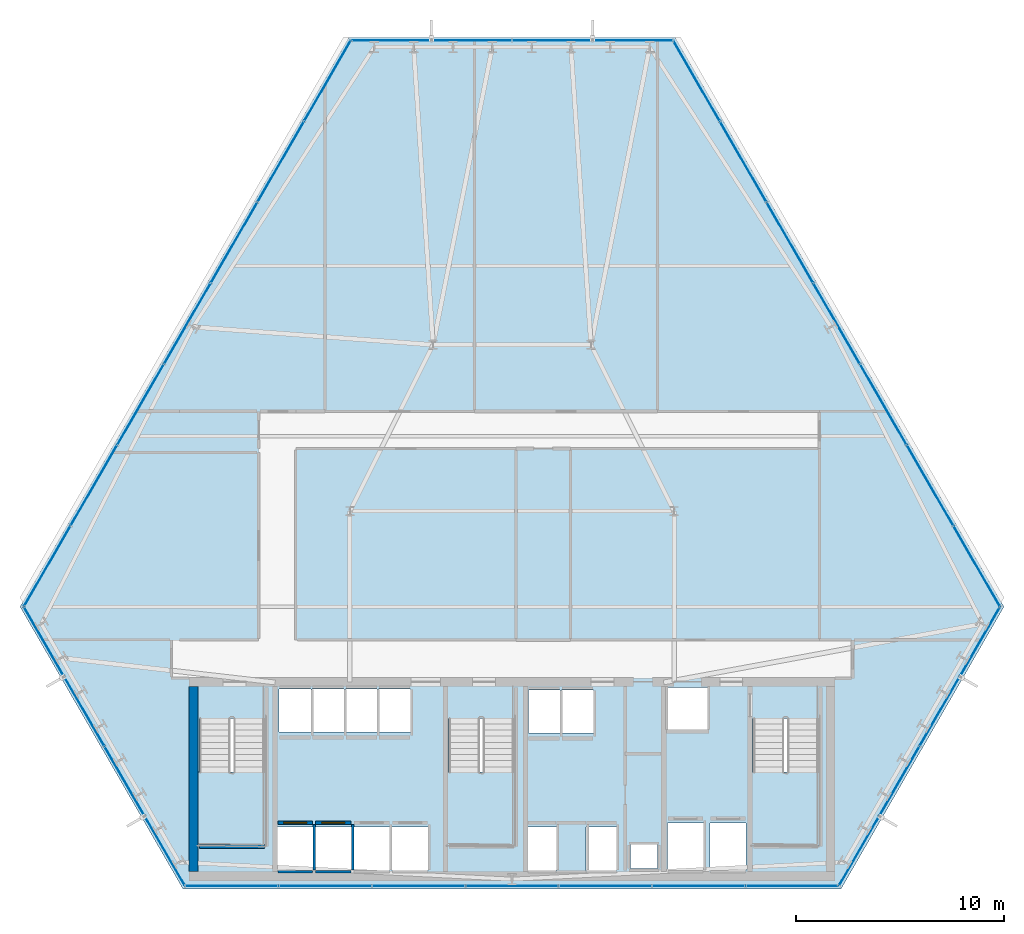
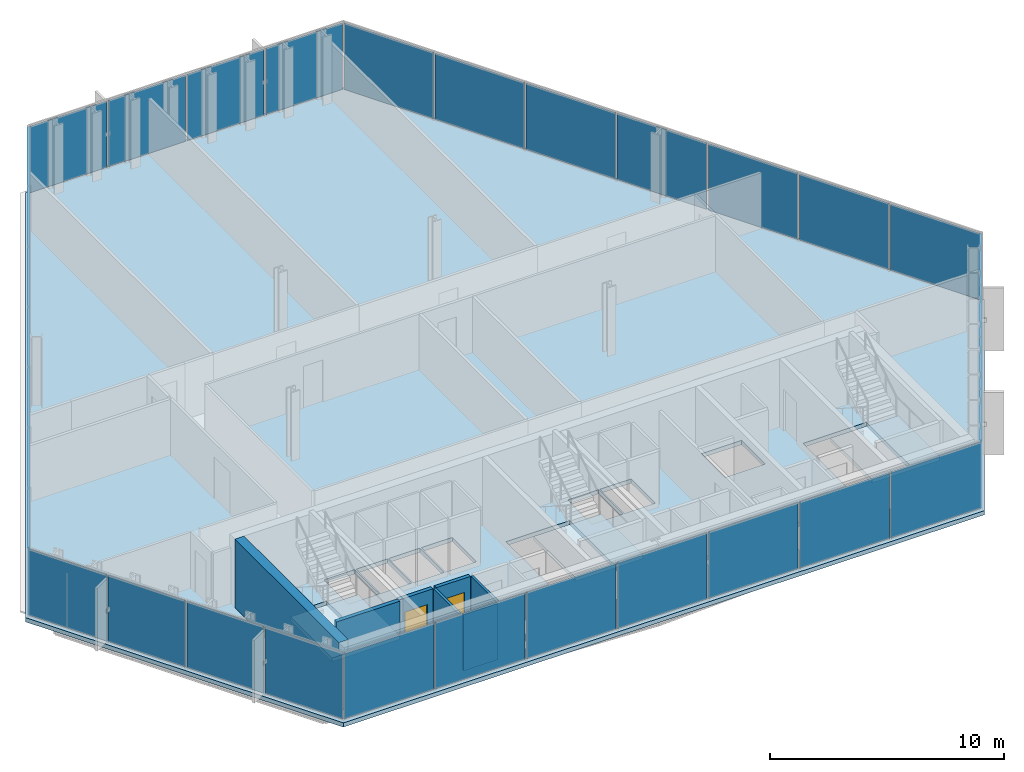
# One storey, part 25 of 32: 33 plates, 8 walls, 4 slabs, 2 doors, 2 openings, 9 elements without a shape of their own.
"""IFC4 building model written with IfcOpenShell, lengths in metres."""

from ifc_helpers import new_model, si_unit, direction, frame, frame_2d, origin, origin_2d, place, context, subcontext, project, spatial, polyline, rectangle, outline, extrude, material, layer, layer_set, type_object, element, fill, aggregate, save


model = new_model("IFC4")

# Units and contexts
model_context = context("Model", 3, precision=1e-05, world=origin(), true_north=direction((0.0, 1.0)))
body_context = subcontext(model_context, "Body", "Model", "MODEL_VIEW")
ifc_project = project(units=[si_unit("LENGTHUNIT", "METRE"), si_unit("AREAUNIT", "SQUARE_METRE"), si_unit("VOLUMEUNIT", "CUBIC_METRE"), si_unit("PLANEANGLEUNIT", "RADIAN"), si_unit("MASSUNIT", "GRAM", prefix="KILO")], contexts=[model_context])

# Site, building, storey
site_placement = place(None, origin())
site = spatial("IfcSite", under=ifc_project, at=site_placement, CompositionType="ELEMENT")
building_placement = place(site_placement, origin())
building = spatial("IfcBuilding", under=site, at=building_placement, Name="Ndaravel Arena Tower", CompositionType="ELEMENT")
storey_placement = place(building_placement, frame((0.0, 0.0, 58.800048828125)))
storey = spatial("IfcBuildingStorey", under=building, at=storey_placement, Name="L12", CompositionType="ELEMENT", Elevation=58.800048828125)

# Curtain wall, plate
ifc_material_1 = material(Name="Aluminium", Category="aluminium")
ifc_layer_1 = layer(ifc_material_1, 0.179931640625)
ifc_layer_set_1 = layer_set([ifc_layer_1], Name="Aluminium")
curtain_wall_type_1 = type_object("IfcCurtainWallType", Name="CW-SYS-01", PredefinedType="NOTDEFINED", material=ifc_layer_set_1)
curtain_wall_1_placement = place(storey_placement, origin())
curtain_wall_1 = element("IfcCurtainWall", 1, at=curtain_wall_1_placement, inside=storey, type_object=curtain_wall_type_1, Name="L12 Faceted Crystal Curtain Wall CW-L12-E02", PredefinedType="NOTDEFINED")
ifc_material_2 = material(Name="Glazing", Category="glass")
ifc_layer_2 = layer(ifc_material_2, 0.035888671875)
ifc_layer_set_2 = layer_set([ifc_layer_2], Name="Glazing")
plate_type_1 = type_object("IfcPlateType", Name="PLT-CW-OPVENT", PredefinedType="CURTAIN_PANEL", material=ifc_layer_set_2)
plate_1_placement = place(storey_placement, frame((60.6435546875, 10.19775390625, 0.06005859375), z_axis=(0.0, 0.0, 1.0), x_axis=(0.5, 0.866025403784, 0.0)))
plate_1 = element("IfcPlate", 2, at=plate_1_placement, type_object=plate_type_1, Name="CW-L12-E02 Operable Vent Sash Panel 02", PredefinedType="CURTAIN_PANEL", context=body_context, shape_type="SweptSolid", body=[
    extrude(rectangle(XDim=3.798095703125, YDim=0.035888671875, at=origin_2d()), origin(), (0.0, 0.0, 1.0), 3.4599609375),
])

curtain_wall_2_placement = place(storey_placement, origin())
curtain_wall_2 = element("IfcCurtainWall", 3, at=curtain_wall_2_placement, inside=storey, type_object=curtain_wall_type_1, Name="L12 Faceted Crystal Curtain Wall CW-L12-E04", PredefinedType="NOTDEFINED")
plate_2_placement = place(storey_placement, frame((43.93896484375, 45.847900390625, 0.06005859375), z_axis=(0.0, 0.0, 1.0), x_axis=(-1.0, 0.0, 0.0)))
plate_2 = element("IfcPlate", 4, at=plate_2_placement, type_object=plate_type_1, Name="CW-L12-E04 Operable Vent Sash Panel 02", PredefinedType="CURTAIN_PANEL", context=body_context, shape_type="SweptSolid", body=[
    extrude(rectangle(XDim=3.798095703125, YDim=0.035888671875, at=origin_2d()), origin(), (0.0, 0.0, 1.0), 3.4599609375),
])

ifc_material_3 = material(Name="Aluminium", Category="aluminium")
ifc_layer_3 = layer(ifc_material_3, 0.179931640625)
ifc_layer_set_3 = layer_set([ifc_layer_3], Name="Aluminium")
curtain_wall_type_2 = type_object("IfcCurtainWallType", Name="CW-SYS-02", PredefinedType="NOTDEFINED", material=ifc_layer_set_3)
curtain_wall_3_placement = place(storey_placement, origin())
curtain_wall_3 = element("IfcCurtainWall", 5, at=curtain_wall_3_placement, inside=storey, type_object=curtain_wall_type_2, Name="L12 Faceted Crystal Curtain Wall CW-L12-E06", PredefinedType="NOTDEFINED")
plate_3_placement = place(storey_placement, frame((21.41748046875, 13.55615234375, 0.06005859375), z_axis=(0.0, 0.0, 1.0), x_axis=(0.5, -0.866025403784, 0.0)))
plate_3 = element("IfcPlate", 6, at=plate_3_placement, type_object=plate_type_1, Name="CW-L12-E06 Operable Vent Sash Panel 02", PredefinedType="CURTAIN_PANEL", context=body_context, shape_type="SweptSolid", body=[
    extrude(rectangle(XDim=3.798095703125, YDim=0.035888671875, at=origin_2d()), origin(), (0.0, 0.0, 1.0), 3.4599609375),
])

# Plate
ifc_material_4 = material(Name="Glazing", Category="glass")
ifc_layer_4 = layer(ifc_material_4, 0.031982421875)
ifc_layer_set_4 = layer_set([ifc_layer_4], Name="Glazing")
plate_type_2 = type_object("IfcPlateType", Name="PLT-GLZ-FRIT35", PredefinedType="CURTAIN_PANEL", material=ifc_layer_set_4)
plate_4_placement = place(storey_placement, frame((58.70458984375, 6.839111328125, 0.06005859375), z_axis=(0.0, 0.0, 1.0), x_axis=(0.5, 0.866025403784, 0.0)))
plate_4 = element("IfcPlate", 7, at=plate_4_placement, type_object=plate_type_2, Name="CW-L12-E02 Vision Glass Panel 01", PredefinedType="CURTAIN_PANEL", context=body_context, shape_type="SweptSolid", body=[
    extrude(rectangle(XDim=3.798095703125, YDim=0.035888671875, at=origin_2d()), origin(), (0.0, 0.0, 1.0), 3.4599609375),
])

plate_5_placement = place(storey_placement, frame((62.58251953125, 13.55615234375, 0.06005859375), z_axis=(0.0, 0.0, 1.0), x_axis=(0.5, 0.866025403784, 0.0)))
plate_5 = element("IfcPlate", 8, at=plate_5_placement, type_object=plate_type_2, Name="CW-L12-E02 Vision Glass Panel 03", PredefinedType="CURTAIN_PANEL", context=body_context, shape_type="SweptSolid", body=[
    extrude(rectangle(XDim=3.798095703125, YDim=0.035888671875, at=origin_2d()), origin(), (0.0, 0.0, 1.0), 3.4599609375),
])

plate_6_placement = place(storey_placement, frame((64.521484375, 16.914794921875, 0.06005859375), z_axis=(0.0, 0.0, 1.0), x_axis=(0.5, 0.866025403784, 0.0)))
plate_6 = element("IfcPlate", 9, at=plate_6_placement, type_object=plate_type_2, Name="CW-L12-E02 Vision Glass Panel 04", PredefinedType="CURTAIN_PANEL", context=body_context, shape_type="SweptSolid", body=[
    extrude(rectangle(XDim=3.798095703125, YDim=0.035888671875, at=origin_2d()), origin(), (0.0, 0.0, 1.0), 3.4599609375),
])

aggregate(curtain_wall_1, [plate_4, plate_1, plate_5, plate_6])

plate_7_placement = place(storey_placement, frame((47.817138671875, 45.847900390625, 0.06005859375), z_axis=(0.0, 0.0, 1.0), x_axis=(-1.0, 0.0, 0.0)))
plate_7 = element("IfcPlate", 10, at=plate_7_placement, type_object=plate_type_2, Name="CW-L12-E04 Vision Glass Panel 01", PredefinedType="CURTAIN_PANEL", context=body_context, shape_type="SweptSolid", body=[
    extrude(rectangle(XDim=3.798095703125, YDim=0.035888671875, at=origin_2d()), origin(), (0.0, 0.0, 1.0), 3.4599609375),
])

plate_8_placement = place(storey_placement, frame((40.06103515625, 45.847900390625, 0.06005859375), z_axis=(0.0, 0.0, 1.0), x_axis=(-1.0, 0.0, 0.0)))
plate_8 = element("IfcPlate", 11, at=plate_8_placement, type_object=plate_type_2, Name="CW-L12-E04 Vision Glass Panel 03", PredefinedType="CURTAIN_PANEL", context=body_context, shape_type="SweptSolid", body=[
    extrude(rectangle(XDim=3.798095703125, YDim=0.035888671875, at=origin_2d()), origin(), (0.0, 0.0, 1.0), 3.4599609375),
])

plate_9_placement = place(storey_placement, frame((36.182861328125, 45.847900390625, 0.06005859375), z_axis=(0.0, 0.0, 1.0), x_axis=(-1.0, 0.0, 0.0)))
plate_9 = element("IfcPlate", 12, at=plate_9_placement, type_object=plate_type_2, Name="CW-L12-E04 Vision Glass Panel 04", PredefinedType="CURTAIN_PANEL", context=body_context, shape_type="SweptSolid", body=[
    extrude(rectangle(XDim=3.798095703125, YDim=0.035888671875, at=origin_2d()), origin(), (0.0, 0.0, 1.0), 3.4599609375),
])

aggregate(curtain_wall_2, [plate_7, plate_2, plate_8, plate_9])

ifc_material_5 = material(Name="Glazing", Category="glass")
ifc_layer_5 = layer(ifc_material_5, 0.035888671875)
ifc_layer_set_5 = layer_set([ifc_layer_5], Name="Glazing")
plate_type_3 = type_object("IfcPlateType", Name="PLT-GLZ-FRIT55", PredefinedType="CURTAIN_PANEL", material=ifc_layer_set_5)
plate_10_placement = place(storey_placement, frame((19.478515625, 16.914794921875, 0.06005859375), z_axis=(0.0, 0.0, 1.0), x_axis=(0.5, -0.866025403784, 0.0)))
plate_10 = element("IfcPlate", 13, at=plate_10_placement, type_object=plate_type_3, Name="CW-L12-E06 Vision Glass Panel 01", PredefinedType="CURTAIN_PANEL", context=body_context, shape_type="SweptSolid", body=[
    extrude(rectangle(XDim=3.798095703125, YDim=0.035888671875, at=origin_2d()), origin(), (0.0, 0.0, 1.0), 3.4599609375),
])

plate_11_placement = place(storey_placement, frame((23.3564453125, 10.19775390625, 0.06005859375), z_axis=(0.0, 0.0, 1.0), x_axis=(0.5, -0.866025403784, 0.0)))
plate_11 = element("IfcPlate", 14, at=plate_11_placement, type_object=plate_type_3, Name="CW-L12-E06 Vision Glass Panel 03", PredefinedType="CURTAIN_PANEL", context=body_context, shape_type="SweptSolid", body=[
    extrude(rectangle(XDim=3.798095703125, YDim=0.035888671875, at=origin_2d()), origin(), (0.0, 0.0, 1.0), 3.4599609375),
])

plate_12_placement = place(storey_placement, frame((25.29541015625, 6.839111328125, 0.06005859375), z_axis=(0.0, 0.0, 1.0), x_axis=(0.5, -0.866025403784, 0.0)))
plate_12 = element("IfcPlate", 15, at=plate_12_placement, type_object=plate_type_3, Name="CW-L12-E06 Vision Glass Panel 04", PredefinedType="CURTAIN_PANEL", context=body_context, shape_type="SweptSolid", body=[
    extrude(rectangle(XDim=3.798095703125, YDim=0.035888671875, at=origin_2d()), origin(), (0.0, 0.0, 1.0), 3.4599609375),
])

aggregate(curtain_wall_3, [plate_10, plate_3, plate_11, plate_12])

# Curtain wall, plates
ifc_material_6 = material(Name="Aluminium", Category="aluminium")
ifc_layer_6 = layer(ifc_material_6, 0.179931640625)
ifc_layer_set_6 = layer_set([ifc_layer_6], Name="Aluminium")
curtain_wall_type_3 = type_object("IfcCurtainWallType", Name="CW-SYS-03", PredefinedType="NOTDEFINED", material=ifc_layer_set_6)
curtain_wall_4_placement = place(storey_placement, origin())
curtain_wall_4 = element("IfcCurtainWall", 16, at=curtain_wall_4_placement, inside=storey, type_object=curtain_wall_type_3, Name="L12 Faceted Crystal Curtain Wall CW-L12-E01", PredefinedType="NOTDEFINED")
ifc_material_7 = material(Name="Glazing", Category="glass")
ifc_layer_7 = layer(ifc_material_7, 0.0400390625)
ifc_layer_set_7 = layer_set([ifc_layer_7], Name="Glazing")
plate_type_4 = type_object("IfcPlateType", Name="PLT-GLZ-LOWIRON", PredefinedType="CURTAIN_PANEL", material=ifc_layer_set_7)
plate_13_placement = place(storey_placement, frame((28.512939453125, 5.159912109375, 0.06005859375), z_axis=(0.0, 0.0, 1.0), x_axis=(1.0, 0.0, 0.0)))
plate_13 = element("IfcPlate", 17, at=plate_13_placement, type_object=plate_type_4, Name="CW-L12-E01 Vision Glass Panel 01", PredefinedType="CURTAIN_PANEL", context=body_context, shape_type="SweptSolid", body=[
    extrude(rectangle(XDim=4.415771484375, YDim=0.035888671875, at=origin_2d()), origin(), (0.0, 0.0, 1.0), 3.4599609375),
])
plate_14_placement = place(storey_placement, frame((33.008544921875, 5.159912109375, 0.06005859375), z_axis=(0.0, 0.0, 1.0), x_axis=(1.0, 0.0, 0.0)))
plate_14 = element("IfcPlate", 18, at=plate_14_placement, type_object=plate_type_4, Name="CW-L12-E01 Vision Glass Panel 02", PredefinedType="CURTAIN_PANEL", context=body_context, shape_type="SweptSolid", body=[
    extrude(rectangle(XDim=4.415771484375, YDim=0.035888671875, at=origin_2d()), origin(), (0.0, 0.0, 1.0), 3.4599609375),
])
plate_15_placement = place(storey_placement, frame((37.50439453125, 5.159912109375, 0.06005859375), z_axis=(0.0, 0.0, 1.0), x_axis=(1.0, 0.0, 0.0)))
plate_15 = element("IfcPlate", 19, at=plate_15_placement, type_object=plate_type_4, Name="CW-L12-E01 Vision Glass Panel 03", PredefinedType="CURTAIN_PANEL", context=body_context, shape_type="SweptSolid", body=[
    extrude(rectangle(XDim=4.415771484375, YDim=0.035888671875, at=origin_2d()), origin(), (0.0, 0.0, 1.0), 3.4599609375),
])
plate_16_placement = place(storey_placement, frame((42.0, 5.159912109375, 0.06005859375), z_axis=(0.0, 0.0, 1.0), x_axis=(1.0, 0.0, 0.0)))
plate_16 = element("IfcPlate", 20, at=plate_16_placement, type_object=plate_type_4, Name="CW-L12-E01 Vision Glass Panel 04", PredefinedType="CURTAIN_PANEL", context=body_context, shape_type="SweptSolid", body=[
    extrude(rectangle(XDim=4.415771484375, YDim=0.035888671875, at=origin_2d()), origin(), (0.0, 0.0, 1.0), 3.4599609375),
])
plate_17_placement = place(storey_placement, frame((46.49560546875, 5.159912109375, 0.06005859375), z_axis=(0.0, 0.0, 1.0), x_axis=(1.0, 0.0, 0.0)))
plate_17 = element("IfcPlate", 21, at=plate_17_placement, type_object=plate_type_4, Name="CW-L12-E01 Vision Glass Panel 05", PredefinedType="CURTAIN_PANEL", context=body_context, shape_type="SweptSolid", body=[
    extrude(rectangle(XDim=4.415771484375, YDim=0.035888671875, at=origin_2d()), origin(), (0.0, 0.0, 1.0), 3.4599609375),
])
plate_18_placement = place(storey_placement, frame((50.991455078125, 5.159912109375, 0.06005859375), z_axis=(0.0, 0.0, 1.0), x_axis=(1.0, 0.0, 0.0)))
plate_18 = element("IfcPlate", 22, at=plate_18_placement, type_object=plate_type_4, Name="CW-L12-E01 Vision Glass Panel 06", PredefinedType="CURTAIN_PANEL", context=body_context, shape_type="SweptSolid", body=[
    extrude(rectangle(XDim=4.415771484375, YDim=0.035888671875, at=origin_2d()), origin(), (0.0, 0.0, 1.0), 3.4599609375),
])
plate_19_placement = place(storey_placement, frame((55.487060546875, 5.159912109375, 0.06005859375), z_axis=(0.0, 0.0, 1.0), x_axis=(1.0, 0.0, 0.0)))
plate_19 = element("IfcPlate", 23, at=plate_19_placement, type_object=plate_type_4, Name="CW-L12-E01 Vision Glass Panel 07", PredefinedType="CURTAIN_PANEL", context=body_context, shape_type="SweptSolid", body=[
    extrude(rectangle(XDim=4.415771484375, YDim=0.035888671875, at=origin_2d()), origin(), (0.0, 0.0, 1.0), 3.4599609375),
])
aggregate(curtain_wall_4, [plate_13, plate_14, plate_15, plate_16, plate_17, plate_18, plate_19])

curtain_wall_5_placement = place(storey_placement, origin())
curtain_wall_5 = element("IfcCurtainWall", 24, at=curtain_wall_5_placement, inside=storey, type_object=curtain_wall_type_3, Name="L12 Faceted Crystal Curtain Wall CW-L12-E03", PredefinedType="NOTDEFINED")
plate_20_placement = place(storey_placement, frame((64.3671875, 20.54052734375, 0.06005859375), z_axis=(0.0, 0.0, 1.0), x_axis=(-0.5, 0.866025403784, 0.0)))
plate_20 = element("IfcPlate", 25, at=plate_20_placement, type_object=plate_type_4, Name="CW-L12-E03 Vision Glass Panel 01", PredefinedType="CURTAIN_PANEL", context=body_context, shape_type="SweptSolid", body=[
    extrude(rectangle(XDim=4.415771484375, YDim=0.035888671875, at=origin_2d()), origin(), (0.0, 0.0, 1.0), 3.4599609375),
])
plate_21_placement = place(storey_placement, frame((62.119384765625, 24.43408203125, 0.06005859375), z_axis=(0.0, 0.0, 1.0), x_axis=(-0.5, 0.866025403784, 0.0)))
plate_21 = element("IfcPlate", 26, at=plate_21_placement, type_object=plate_type_4, Name="CW-L12-E03 Vision Glass Panel 02", PredefinedType="CURTAIN_PANEL", context=body_context, shape_type="SweptSolid", body=[
    extrude(rectangle(XDim=4.415771484375, YDim=0.035888671875, at=origin_2d()), origin(), (0.0, 0.0, 1.0), 3.4599609375),
])
plate_22_placement = place(storey_placement, frame((59.87158203125, 28.327392578125, 0.06005859375), z_axis=(0.0, 0.0, 1.0), x_axis=(-0.5, 0.866025403784, 0.0)))
plate_22 = element("IfcPlate", 27, at=plate_22_placement, type_object=plate_type_4, Name="CW-L12-E03 Vision Glass Panel 03", PredefinedType="CURTAIN_PANEL", context=body_context, shape_type="SweptSolid", body=[
    extrude(rectangle(XDim=4.415771484375, YDim=0.035888671875, at=origin_2d()), origin(), (0.0, 0.0, 1.0), 3.4599609375),
])
plate_23_placement = place(storey_placement, frame((57.62353515625, 32.220947265625, 0.06005859375), z_axis=(0.0, 0.0, 1.0), x_axis=(-0.5, 0.866025403784, 0.0)))
plate_23 = element("IfcPlate", 28, at=plate_23_placement, type_object=plate_type_4, Name="CW-L12-E03 Vision Glass Panel 04", PredefinedType="CURTAIN_PANEL", context=body_context, shape_type="SweptSolid", body=[
    extrude(rectangle(XDim=4.415771484375, YDim=0.035888671875, at=origin_2d()), origin(), (0.0, 0.0, 1.0), 3.4599609375),
])
plate_24_placement = place(storey_placement, frame((55.375732421875, 36.1142578125, 0.06005859375), z_axis=(0.0, 0.0, 1.0), x_axis=(-0.5, 0.866025403784, 0.0)))
plate_24 = element("IfcPlate", 29, at=plate_24_placement, type_object=plate_type_4, Name="CW-L12-E03 Vision Glass Panel 05", PredefinedType="CURTAIN_PANEL", context=body_context, shape_type="SweptSolid", body=[
    extrude(rectangle(XDim=4.415771484375, YDim=0.035888671875, at=origin_2d()), origin(), (0.0, 0.0, 1.0), 3.4599609375),
])
plate_25_placement = place(storey_placement, frame((53.1279296875, 40.0078125, 0.06005859375), z_axis=(0.0, 0.0, 1.0), x_axis=(-0.5, 0.866025403784, 0.0)))
plate_25 = element("IfcPlate", 30, at=plate_25_placement, type_object=plate_type_4, Name="CW-L12-E03 Vision Glass Panel 06", PredefinedType="CURTAIN_PANEL", context=body_context, shape_type="SweptSolid", body=[
    extrude(rectangle(XDim=4.415771484375, YDim=0.035888671875, at=origin_2d()), origin(), (0.0, 0.0, 1.0), 3.4599609375),
])
plate_26_placement = place(storey_placement, frame((50.8798828125, 43.901123046875, 0.06005859375), z_axis=(0.0, 0.0, 1.0), x_axis=(-0.5, 0.866025403784, 0.0)))
plate_26 = element("IfcPlate", 31, at=plate_26_placement, type_object=plate_type_4, Name="CW-L12-E03 Vision Glass Panel 07", PredefinedType="CURTAIN_PANEL", context=body_context, shape_type="SweptSolid", body=[
    extrude(rectangle(XDim=4.415771484375, YDim=0.035888671875, at=origin_2d()), origin(), (0.0, 0.0, 1.0), 3.4599609375),
])
aggregate(curtain_wall_5, [plate_20, plate_21, plate_22, plate_23, plate_24, plate_25, plate_26])

curtain_wall_6_placement = place(storey_placement, origin())
curtain_wall_6 = element("IfcCurtainWall", 32, at=curtain_wall_6_placement, inside=storey, type_object=curtain_wall_type_3, Name="L12 Faceted Crystal Curtain Wall CW-L12-E05", PredefinedType="NOTDEFINED")
plate_27_placement = place(storey_placement, frame((33.1201171875, 43.901123046875, 0.06005859375), z_axis=(0.0, 0.0, 1.0), x_axis=(-0.5, -0.866025403784, 0.0)))
plate_27 = element("IfcPlate", 33, at=plate_27_placement, type_object=plate_type_4, Name="CW-L12-E05 Vision Glass Panel 01", PredefinedType="CURTAIN_PANEL", context=body_context, shape_type="SweptSolid", body=[
    extrude(rectangle(XDim=4.415771484375, YDim=0.035888671875, at=origin_2d()), origin(), (0.0, 0.0, 1.0), 3.4599609375),
])
plate_28_placement = place(storey_placement, frame((30.8720703125, 40.0078125, 0.06005859375), z_axis=(0.0, 0.0, 1.0), x_axis=(-0.5, -0.866025403784, 0.0)))
plate_28 = element("IfcPlate", 34, at=plate_28_placement, type_object=plate_type_4, Name="CW-L12-E05 Vision Glass Panel 02", PredefinedType="CURTAIN_PANEL", context=body_context, shape_type="SweptSolid", body=[
    extrude(rectangle(XDim=4.415771484375, YDim=0.035888671875, at=origin_2d()), origin(), (0.0, 0.0, 1.0), 3.4599609375),
])
plate_29_placement = place(storey_placement, frame((28.624267578125, 36.1142578125, 0.06005859375), z_axis=(0.0, 0.0, 1.0), x_axis=(-0.5, -0.866025403784, 0.0)))
plate_29 = element("IfcPlate", 35, at=plate_29_placement, type_object=plate_type_4, Name="CW-L12-E05 Vision Glass Panel 03", PredefinedType="CURTAIN_PANEL", context=body_context, shape_type="SweptSolid", body=[
    extrude(rectangle(XDim=4.415771484375, YDim=0.035888671875, at=origin_2d()), origin(), (0.0, 0.0, 1.0), 3.4599609375),
])
plate_30_placement = place(storey_placement, frame((26.37646484375, 32.220947265625, 0.06005859375), z_axis=(0.0, 0.0, 1.0), x_axis=(-0.5, -0.866025403784, 0.0)))
plate_30 = element("IfcPlate", 36, at=plate_30_placement, type_object=plate_type_4, Name="CW-L12-E05 Vision Glass Panel 04", PredefinedType="CURTAIN_PANEL", context=body_context, shape_type="SweptSolid", body=[
    extrude(rectangle(XDim=4.415771484375, YDim=0.035888671875, at=origin_2d()), origin(), (0.0, 0.0, 1.0), 3.4599609375),
])
plate_31_placement = place(storey_placement, frame((24.12841796875, 28.327392578125, 0.06005859375), z_axis=(0.0, 0.0, 1.0), x_axis=(-0.5, -0.866025403784, 0.0)))
plate_31 = element("IfcPlate", 37, at=plate_31_placement, type_object=plate_type_4, Name="CW-L12-E05 Vision Glass Panel 05", PredefinedType="CURTAIN_PANEL", context=body_context, shape_type="SweptSolid", body=[
    extrude(rectangle(XDim=4.415771484375, YDim=0.035888671875, at=origin_2d()), origin(), (0.0, 0.0, 1.0), 3.4599609375),
])
plate_32_placement = place(storey_placement, frame((21.880615234375, 24.43408203125, 0.06005859375), z_axis=(0.0, 0.0, 1.0), x_axis=(-0.5, -0.866025403784, 0.0)))
plate_32 = element("IfcPlate", 38, at=plate_32_placement, type_object=plate_type_4, Name="CW-L12-E05 Vision Glass Panel 06", PredefinedType="CURTAIN_PANEL", context=body_context, shape_type="SweptSolid", body=[
    extrude(rectangle(XDim=4.415771484375, YDim=0.035888671875, at=origin_2d()), origin(), (0.0, 0.0, 1.0), 3.4599609375),
])
plate_33_placement = place(storey_placement, frame((19.6328125, 20.54052734375, 0.06005859375), z_axis=(0.0, 0.0, 1.0), x_axis=(-0.5, -0.866025403784, 0.0)))
plate_33 = element("IfcPlate", 39, at=plate_33_placement, type_object=plate_type_4, Name="CW-L12-E05 Vision Glass Panel 07", PredefinedType="CURTAIN_PANEL", context=body_context, shape_type="SweptSolid", body=[
    extrude(rectangle(XDim=4.415771484375, YDim=0.035888671875, at=origin_2d()), origin(), (0.0, 0.0, 1.0), 3.4599609375),
])
aggregate(curtain_wall_6, [plate_27, plate_28, plate_29, plate_30, plate_31, plate_32, plate_33])

# Stair, slab
ifc_material_8 = material(Name="Concrete C40/50", Category="concrete")
stair_type = type_object("IfcStairType", Name="STAIR-CORE-HT", PredefinedType="HALF_TURN_STAIR", material=ifc_material_8)
stair_1_placement = place(storey_placement, origin())
stair_1 = element("IfcStair", 40, at=stair_1_placement, inside=storey, type_object=stair_type, Name="L12 ST-1", PredefinedType="HALF_TURN_STAIR")
ifc_material_9 = material(Name="Concrete C40/50", Category="concrete")
ifc_layer_8 = layer(ifc_material_9, 0.199951171875)
ifc_layer_set_8 = layer_set([ifc_layer_8], Name="Concrete C40/50")
slab_type_1 = type_object("IfcSlabType", Name="SLAB-STAIR-LANDING", PredefinedType="LANDING", material=ifc_layer_set_8)
slab_1_placement = place(storey_placement, frame((0.0, 0.0, 1.699951171875)))
slab_1 = element("IfcSlab", 41, at=slab_1_placement, type_object=slab_type_1, Name="ST-1 landing 1", PredefinedType="LANDING", context=body_context, shape_type="SweptSolid", body=[
    extrude(outline(polyline([(26.81005859375, 10.6298828125), (26.81005859375, 7.070068359375), (30.169921875, 7.070068359375), (30.169921875, 10.6298828125), (26.81005859375, 10.6298828125)])), origin(), (0.0, 0.0, 1.0), 0.199951171875),
])
aggregate(stair_1, [slab_1])

stair_2_placement = place(storey_placement, origin())
stair_2 = element("IfcStair", 42, at=stair_2_placement, inside=storey, type_object=stair_type, Name="L12 ST-2", PredefinedType="HALF_TURN_STAIR")
slab_2_placement = place(storey_placement, frame((0.0, 0.0, 1.699951171875)))
slab_2 = element("IfcSlab", 43, at=slab_2_placement, type_object=slab_type_1, Name="ST-2 landing 1", PredefinedType="LANDING", context=body_context, shape_type="SweptSolid", body=[
    extrude(outline(polyline([(38.81005859375, 10.6298828125), (38.81005859375, 7.070068359375), (42.169921875, 7.070068359375), (42.169921875, 10.6298828125), (38.81005859375, 10.6298828125)])), origin(), (0.0, 0.0, 1.0), 0.199951171875),
])
aggregate(stair_2, [slab_2])

stair_3_placement = place(storey_placement, origin())
stair_3 = element("IfcStair", 44, at=stair_3_placement, inside=storey, type_object=stair_type, Name="L12 ST-3", PredefinedType="HALF_TURN_STAIR")
slab_3_placement = place(storey_placement, frame((0.0, 0.0, 1.699951171875)))
slab_3 = element("IfcSlab", 45, at=slab_3_placement, type_object=slab_type_1, Name="ST-3 landing 1", PredefinedType="LANDING", context=body_context, shape_type="SweptSolid", body=[
    extrude(outline(polyline([(53.4599609375, 10.6298828125), (53.4599609375, 7.070068359375), (56.820068359375, 7.070068359375), (56.820068359375, 10.6298828125), (53.4599609375, 10.6298828125)])), origin(), (0.0, 0.0, 1.0), 0.199951171875),
])
aggregate(stair_3, [slab_3])

# Slab
ifc_material_10 = material(Name="Concrete C40/50", Category="concrete")
ifc_layer_9 = layer(ifc_material_10, 0.219970703125)
ifc_layer_set_9 = layer_set([ifc_layer_9], Name="Concrete C40/50")
slab_type_2 = type_object("IfcSlabType", Name="SLAB-TWR-220", PredefinedType="FLOOR", material=ifc_layer_set_9)
slab_4_placement = place(storey_placement, frame((0.0, 0.0, -0.219970703125)))
element("IfcSlab", 46, at=slab_4_placement, inside=storey, type_object=slab_type_2, Name="L12 Structural Floor Slab", PredefinedType="FLOOR", context=body_context, shape_type="SweptSolid", body=[
    extrude(outline(polyline([(18.32421875, 18.593994140625), (26.172607421875, 5.0), (57.827392578125, 5.0), (65.67578125, 18.593994140625), (49.848388671875, 46.0078125), (34.151611328125, 46.0078125), (18.32421875, 18.593994140625)]), holes=[polyline([(26.949951171875, 13.215087890625), (26.949951171875, 7.14990234375), (30.090087890625, 7.14990234375), (30.090087890625, 13.215087890625), (26.949951171875, 13.215087890625)]), polyline([(38.949951171875, 13.215087890625), (38.949951171875, 7.14990234375), (42.090087890625, 7.14990234375), (42.090087890625, 13.215087890625), (38.949951171875, 13.215087890625)]), polyline([(53.60009765625, 13.215087890625), (53.60009765625, 7.14990234375), (56.739990234375, 7.14990234375), (56.739990234375, 13.215087890625), (53.60009765625, 13.215087890625)]), polyline([(30.68505859375, 5.909912109375), (32.4150390625, 5.909912109375), (32.4150390625, 7.989990234375), (30.68505859375, 7.989990234375), (30.68505859375, 5.909912109375)]), polyline([(32.534912109375, 5.909912109375), (34.264892578125, 5.909912109375), (34.264892578125, 7.989990234375), (32.534912109375, 7.989990234375), (32.534912109375, 5.909912109375)]), polyline([(34.385009765625, 5.909912109375), (36.114990234375, 5.909912109375), (36.114990234375, 7.989990234375), (34.385009765625, 7.989990234375), (34.385009765625, 5.909912109375)]), polyline([(36.235107421875, 5.909912109375), (37.965087890625, 5.909912109375), (37.965087890625, 7.989990234375), (36.235107421875, 7.989990234375), (36.235107421875, 5.909912109375)]), polyline([(30.784912109375, 12.56005859375), (32.31494140625, 12.56005859375), (32.31494140625, 14.639892578125), (30.784912109375, 14.639892578125), (30.784912109375, 12.56005859375)]), polyline([(32.385009765625, 12.56005859375), (33.9150390625, 12.56005859375), (33.9150390625, 14.639892578125), (32.385009765625, 14.639892578125), (32.385009765625, 12.56005859375)]), polyline([(33.985107421875, 12.56005859375), (35.514892578125, 12.56005859375), (35.514892578125, 14.639892578125), (33.985107421875, 14.639892578125), (33.985107421875, 12.56005859375)]), polyline([(35.5849609375, 12.56005859375), (37.114990234375, 12.56005859375), (37.114990234375, 14.639892578125), (35.5849609375, 14.639892578125), (35.5849609375, 12.56005859375)]), polyline([(42.659912109375, 5.909912109375), (44.139892578125, 5.909912109375), (44.139892578125, 7.989990234375), (42.659912109375, 7.989990234375), (42.659912109375, 5.909912109375)]), polyline([(45.56005859375, 5.909912109375), (47.0400390625, 5.909912109375), (47.0400390625, 7.989990234375), (45.56005859375, 7.989990234375), (45.56005859375, 5.909912109375)]), polyline([(42.784912109375, 12.510009765625), (44.31494140625, 12.510009765625), (44.31494140625, 14.590087890625), (42.784912109375, 14.590087890625), (42.784912109375, 12.510009765625)]), polyline([(44.385009765625, 12.510009765625), (45.9150390625, 12.510009765625), (45.9150390625, 14.590087890625), (44.385009765625, 14.590087890625), (44.385009765625, 12.510009765625)]), polyline([(49.485107421875, 5.909912109375), (51.215087890625, 5.909912109375), (51.215087890625, 8.18994140625), (49.485107421875, 8.18994140625), (49.485107421875, 5.909912109375)]), polyline([(51.534912109375, 5.909912109375), (53.264892578125, 5.909912109375), (53.264892578125, 8.18994140625), (51.534912109375, 8.18994140625), (51.534912109375, 5.909912109375)]), polyline([(49.4599609375, 12.68505859375), (51.43994140625, 12.68505859375), (51.43994140625, 14.715087890625), (49.4599609375, 14.715087890625), (49.4599609375, 12.68505859375)]), polyline([(47.699951171875, 6.0), (49.0, 6.0), (49.0, 7.139892578125), (47.699951171875, 7.139892578125), (47.699951171875, 6.0)])]), origin(), (0.0, 0.0, 1.0), 0.219970703125),
])

# Walls
ifc_material_11 = material(Name="Concrete C60/75", Category="concrete")
ifc_layer_10 = layer(ifc_material_11, 0.449951171875)
ifc_layer_set_10 = layer_set([ifc_layer_10], Name="Concrete C60/75")
wall_type_1 = type_object("IfcWallType", Name="WALL-CORE-450", PredefinedType="SOLIDWALL", material=ifc_layer_set_10)
wall_1_placement = place(storey_placement, frame((26.675048828125, 5.85009765625, 0.0), z_axis=(0.0, 0.0, 1.0), x_axis=(0.0, 1.0, 0.0)))
element("IfcWall", 47, at=wall_1_placement, inside=storey, type_object=wall_type_1, Name="L12 Core West Shear Wall", PredefinedType="SOLIDWALL", context=body_context, shape_type="SweptSolid", body=[
    extrude(rectangle(XDim=8.89990234375, YDim=0.449951171875, at=frame_2d((4.449951171875, 0.0))), origin(), (0.0, 0.0, 1.0), 3.579833984375),
])
ifc_material_12 = material(Name="Concrete C40/50", Category="concrete")
ifc_layer_11 = layer(ifc_material_12, 0.1201171875)
ifc_layer_set_11 = layer_set([ifc_layer_11], Name="Concrete C40/50")
wall_type_2 = type_object("IfcWallType", Name="WALL-SHAFT-120", PredefinedType="SOLIDWALL", material=ifc_layer_set_11)
wall_2_placement = place(storey_placement, frame((30.72998046875, 5.840087890625, 0.0), z_axis=(0.0, 0.0, 1.0), x_axis=(1.0, 0.0, 0.0)))
element("IfcWall", 48, at=wall_2_placement, inside=storey, type_object=wall_type_2, Name="L12 PL-L1 Shaft Rear Wall", PredefinedType="SOLIDWALL", context=body_context, shape_type="SweptSolid", body=[
    extrude(rectangle(XDim=1.6650390625, YDim=0.1201171875, at=frame_2d((0.83251953125, 0.0))), origin(), (0.0, 0.0, 1.0), 2.932861328125),
])
wall_3_placement = place(storey_placement, frame((32.47509765625, 5.929931640625, 0.0), z_axis=(0.0, 0.0, 1.0), x_axis=(0.0, 1.0, 0.0)))
element("IfcWall", 49, at=wall_3_placement, inside=storey, type_object=wall_type_2, Name="L12 PL-L1 Shaft Side R Wall", PredefinedType="SOLIDWALL", context=body_context, shape_type="SweptSolid", body=[
    extrude(rectangle(XDim=2.18017578125, YDim=0.1201171875, at=frame_2d((1.090087890625, 0.0))), origin(), (0.0, 0.0, 1.0), 2.932861328125),
])
wall_4_placement = place(storey_placement, frame((32.554931640625, 5.840087890625, 0.0), z_axis=(0.0, 0.0, 1.0), x_axis=(1.0, 0.0, 0.0)))
element("IfcWall", 50, at=wall_4_placement, inside=storey, type_object=wall_type_2, Name="L12 PL-L2 Shaft Rear Wall", PredefinedType="SOLIDWALL", context=body_context, shape_type="SweptSolid", body=[
    extrude(rectangle(XDim=1.690185546875, YDim=0.1201171875, at=frame_2d((0.84521484375, 0.0))), origin(), (0.0, 0.0, 1.0), 2.932861328125),
])
wall_5_placement = place(storey_placement, frame((34.324951171875, 5.929931640625, 0.0), z_axis=(0.0, 0.0, 1.0), x_axis=(0.0, 1.0, 0.0)))
element("IfcWall", 51, at=wall_5_placement, inside=storey, type_object=wall_type_2, Name="L12 PL-L2 Shaft Side R Wall", PredefinedType="SOLIDWALL", context=body_context, shape_type="SweptSolid", body=[
    extrude(rectangle(XDim=2.18017578125, YDim=0.1201171875, at=frame_2d((1.090087890625, 0.0))), origin(), (0.0, 0.0, 1.0), 2.932861328125),
])
ifc_material_13 = material(Name="Concrete C40/50", Category="concrete")
ifc_layer_12 = layer(ifc_material_13, 0.199951171875)
ifc_layer_set_12 = layer_set([ifc_layer_12], Name="Concrete C40/50")
wall_type_3 = type_object("IfcWallType", Name="WALL-SHAFT-200", PredefinedType="SOLIDWALL", material=ifc_layer_set_12)
wall_6_placement = place(storey_placement, frame((26.969970703125, 7.050048828125, 0.0), z_axis=(0.0, 0.0, 1.0), x_axis=(1.0, 0.0, 0.0)))
element("IfcWall", 52, at=wall_6_placement, inside=storey, type_object=wall_type_3, Name="L12 ST-1 Structural Shaft Wall Far", PredefinedType="SOLIDWALL", context=body_context, shape_type="SweptSolid", body=[
    extrude(rectangle(XDim=3.114990234375, YDim=0.199951171875, at=frame_2d((1.5576171875, 0.0))), origin(), (0.0, 0.0, 1.0), 3.800048828125),
])

# Wall, opening, door
wall_7_placement = place(storey_placement, frame((30.72998046875, 8.199951171875, 0.0), z_axis=(0.0, 0.0, 1.0), x_axis=(1.0, 0.0, 0.0)))
wall_7 = element("IfcWall", 53, at=wall_7_placement, inside=storey, type_object=wall_type_3, Name="L12 PL-L1 Shaft Landing Wall", PredefinedType="SOLIDWALL", context=body_context, shape_type="SweptSolid", body=[
    extrude(rectangle(XDim=1.6650390625, YDim=0.179931640625, at=frame_2d((0.83251953125, 0.0))), origin(), (0.0, 0.0, 1.0), 2.932861328125),
])
opening_1_placement = place(wall_7_placement, frame((0.282470703125, 0.0, 0.0)))
opening_1 = element("IfcOpeningElement", 54, at=opening_1_placement, cuts=wall_7, Name="Opening LD-01", PredefinedType="OPENING", context=body_context, shape_type="SweptSolid", body=[
    extrude(rectangle(XDim=1.10009765625, YDim=2.199951171875, at=frame_2d((0.550048828125, 1.10009765625))), frame((0.0, 0.08984375, 0.0), z_axis=(0.0, -1.0, 0.0), x_axis=(1.0, 0.0, 0.0)), (0.0, 0.0, 1.0), 0.179931640625),
])
ifc_material_14 = material(Name="Steel S355", Category="steel")
door_type = type_object("IfcDoorType", Name="DT-06-LIFT-1100", OperationType="SLIDING_TO_LEFT", PredefinedType="DOOR", material=ifc_material_14)
door_1_placement = place(opening_1_placement, origin())
door_1 = element("IfcDoor", 55, at=door_1_placement, inside=storey, type_object=door_type, Name="L12 Lift PL-L1 Sliding Landing Door", OperationType="SLIDING_TO_LEFT", OverallHeight=2.199951171875, OverallWidth=1.10009765625, PredefinedType="DOOR", context=body_context, shape_type="SweptSolid", body=[
    extrude(rectangle(XDim=1.10009765625, YDim=2.199951171875, at=frame_2d((0.550048828125, 1.10009765625))), frame((0.0, 0.02490234375, 0.0), z_axis=(0.0, -1.0, 0.0), x_axis=(1.0, 0.0, 0.0)), (0.0, 0.0, 1.0), 0.050048828125),
])
fill(opening_1, door_1)

wall_8_placement = place(storey_placement, frame((32.554931640625, 8.199951171875, 0.0), z_axis=(0.0, 0.0, 1.0), x_axis=(1.0, 0.0, 0.0)))
wall_8 = element("IfcWall", 56, at=wall_8_placement, inside=storey, type_object=wall_type_3, Name="L12 PL-L2 Shaft Landing Wall", PredefinedType="SOLIDWALL", context=body_context, shape_type="SweptSolid", body=[
    extrude(rectangle(XDim=1.690185546875, YDim=0.179931640625, at=frame_2d((0.84521484375, 0.0))), origin(), (0.0, 0.0, 1.0), 2.932861328125),
])
opening_2_placement = place(wall_8_placement, frame((0.294921875, 0.0, 0.0)))
opening_2 = element("IfcOpeningElement", 57, at=opening_2_placement, cuts=wall_8, Name="Opening LD-01", PredefinedType="OPENING", context=body_context, shape_type="SweptSolid", body=[
    extrude(rectangle(XDim=1.10009765625, YDim=2.199951171875, at=frame_2d((0.550048828125, 1.10009765625))), frame((0.0, 0.08984375, 0.0), z_axis=(0.0, -1.0, 0.0), x_axis=(1.0, 0.0, 0.0)), (0.0, 0.0, 1.0), 0.179931640625),
])
door_2_placement = place(opening_2_placement, origin())
door_2 = element("IfcDoor", 58, at=door_2_placement, inside=storey, type_object=door_type, Name="L12 Lift PL-L2 Sliding Landing Door", OperationType="SLIDING_TO_LEFT", OverallHeight=2.199951171875, OverallWidth=1.10009765625, PredefinedType="DOOR", context=body_context, shape_type="SweptSolid", body=[
    extrude(rectangle(XDim=1.10009765625, YDim=2.199951171875, at=frame_2d((0.550048828125, 1.10009765625))), frame((0.0, 0.02490234375, 0.0), z_axis=(0.0, -1.0, 0.0), x_axis=(1.0, 0.0, 0.0)), (0.0, 0.0, 1.0), 0.050048828125),
])
fill(opening_2, door_2)

save(model, "model.ifc")
